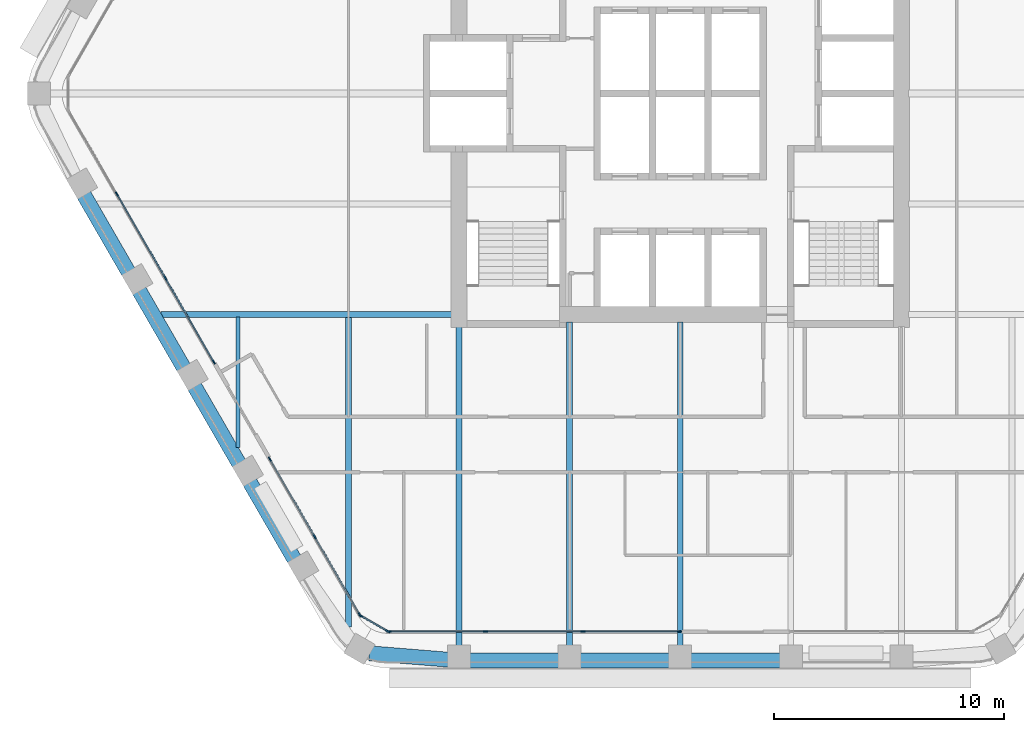
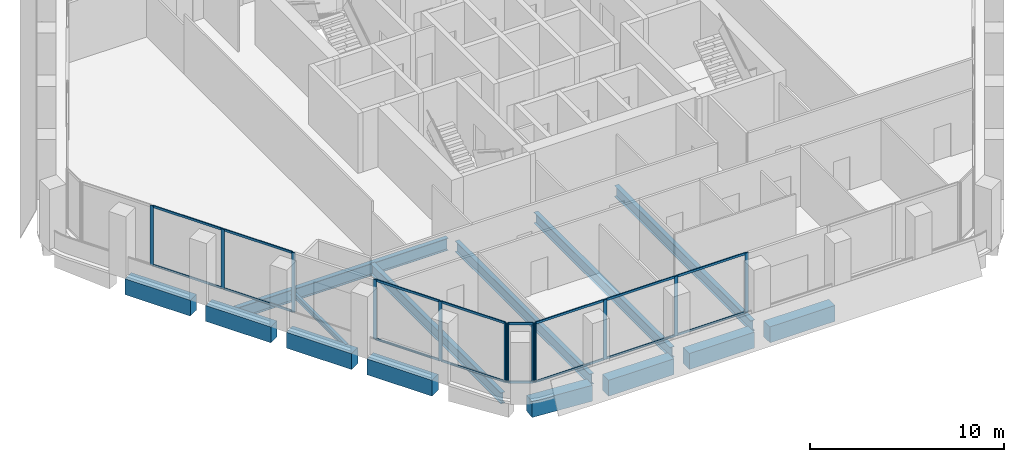
# One storey, part 2 of 15: 28 members, 14 beams, 4 elements without a shape of their own.
"""IFC4 building model written with IfcOpenShell, lengths in metres."""

from ifc_helpers import new_model, si_unit, direction, frame, origin, origin_2d, place, context, subcontext, project, spatial, rectangle, i_section, extrude, material, material_profile, profile_set, type_object, element, aggregate, save


model = new_model("IFC4")

# Units and contexts
model_context = context("Model", 3, precision=1e-05, world=origin(), true_north=direction((0.0, 1.0)))
body_context = subcontext(model_context, "Body", "Model", "MODEL_VIEW")
ifc_project = project(units=[si_unit("LENGTHUNIT", "METRE"), si_unit("AREAUNIT", "SQUARE_METRE"), si_unit("VOLUMEUNIT", "CUBIC_METRE"), si_unit("PLANEANGLEUNIT", "RADIAN"), si_unit("MASSUNIT", "GRAM", prefix="KILO")], contexts=[model_context])

# Site, building, storey
site_placement = place(None, origin())
site = spatial("IfcSite", under=ifc_project, at=site_placement, CompositionType="ELEMENT")
building_placement = place(site_placement, origin())
building = spatial("IfcBuilding", under=site, at=building_placement, Name="Kolab Exchange Tower", CompositionType="ELEMENT")
storey_placement = place(building_placement, frame((0.0, 0.0, 173.89990234375)))
storey = spatial("IfcBuildingStorey", under=building, at=storey_placement, Name="L36", CompositionType="ELEMENT", Elevation=173.89990234375)

# Beams
ifc_material_1 = material(Name="Steel S355", Category="steel")
ifc_material_profile_1 = material_profile(ifc_material_1, i_section(OverallWidth=0.1650390625, OverallDepth=0.31005859375, WebThickness=0.005859375, FlangeThickness=0.009765625, at=origin_2d()), Name="W310X39")
ifc_profile_set_1 = profile_set([ifc_material_profile_1], Name="Steel S355")
beam_type_1 = type_object("IfcBeamType", Name="FLOOR BEAM W310X39", PredefinedType="BEAM", material=ifc_profile_set_1)
beam_1_placement = place(storey_placement, frame((-19.199951171875, -15.36767578125, -0.304931640625), z_axis=(0.0, 1.0, 0.0), x_axis=(-1.0, 0.0, 0.0)))
element("IfcBeam", 1, at=beam_1_placement, inside=storey, type_object=beam_type_1, Name="beam/L36/fr/003", PredefinedType="BEAM", context=body_context, shape_type="SweptSolid", body=[
    extrude(i_section(OverallWidth=0.1650390625, OverallDepth=0.31005859375, WebThickness=0.005859375, FlangeThickness=0.009765625, at=origin_2d()), origin(), (0.0, 0.0, 1.0), 5.674072265625),
])
ifc_material_profile_2 = material_profile(ifc_material_1, i_section(OverallWidth=0.25390625, OverallDepth=0.68408203125, WebThickness=0.012451171875, FlangeThickness=0.018798828125, at=origin_2d()), Name="W690X140")
ifc_profile_set_2 = profile_set([ifc_material_profile_2], Name="Steel S355")
beam_type_2 = type_object("IfcBeamType", Name="FLOOR BEAM W690X140", PredefinedType="BEAM", material=ifc_profile_set_2)
beam_2_placement = place(storey_placement, frame((-14.39990234375, -23.15576171875, -0.491943359375), z_axis=(0.0, 1.0, 0.0), x_axis=(-1.0, 0.0, 0.0)))
element("IfcBeam", 2, at=beam_2_placement, inside=storey, type_object=beam_type_2, Name="beam/L36/fr/005", PredefinedType="BEAM", context=body_context, shape_type="SweptSolid", body=[
    extrude(i_section(OverallWidth=0.25390625, OverallDepth=0.68408203125, WebThickness=0.012451171875, FlangeThickness=0.018798828125, at=origin_2d()), origin(), (0.0, 0.0, 1.0), 13.462158203125),
])
beam_3_placement = place(storey_placement, frame((-9.60009765625, -23.9814453125, -0.491943359375), z_axis=(0.0, 1.0, 0.0), x_axis=(-1.0, 0.0, 0.0)))
element("IfcBeam", 3, at=beam_3_placement, inside=storey, type_object=beam_type_2, Name="beam/L36/fr/007", PredefinedType="BEAM", context=body_context, shape_type="SweptSolid", body=[
    extrude(i_section(OverallWidth=0.25390625, OverallDepth=0.68408203125, WebThickness=0.012451171875, FlangeThickness=0.018798828125, at=origin_2d()), origin(), (0.0, 0.0, 1.0), 13.871337890625),
])
for number, where, z_axis, x_axis, name in (
    (4, (-4.800048828125, -23.9814453125, -0.491943359375), (0.0, 1.0, 0.0), (-1.0, 0.0, 0.0), "beam/L36/fr/009"),
    (5, (0.0, -23.9814453125, -0.491943359375), (0.0, 1.0, 0.0), (-1.0, 0.0, 0.0), "beam/L36/fr/011"),
):
    element("IfcBeam", number, at=place(storey_placement, frame(where, z_axis=z_axis, x_axis=x_axis)), inside=storey, type_object=beam_type_2, Name=name, PredefinedType="BEAM", context=body_context, shape_type="SweptSolid", body=[
        extrude(i_section(OverallWidth=0.25390625, OverallDepth=0.68408203125, WebThickness=0.012451171875, FlangeThickness=0.018798828125, at=origin_2d()), origin(), (0.0, 0.0, 1.0), 14.071533203125),
    ])
ifc_material_profile_3 = material_profile(ifc_material_1, i_section(OverallWidth=0.26708984375, OverallDepth=0.761962890625, WebThickness=0.014404296875, FlangeThickness=0.021484375, at=origin_2d()), Name="W760X173")
ifc_profile_set_3 = profile_set([ifc_material_profile_3], Name="Steel S355")
beam_type_3 = type_object("IfcBeamType", Name="FLOOR GIRDER W760X173", PredefinedType="BEAM", material=ifc_profile_set_3)
beam_4_placement = place(storey_placement, frame((-22.546875, -9.60009765625, -0.531005859375), z_axis=(1.0, 0.0, 0.0), x_axis=(0.0, 1.0, 0.0)))
element("IfcBeam", 6, at=beam_4_placement, inside=storey, type_object=beam_type_3, Name="beam/L36/gd/000", PredefinedType="BEAM", context=body_context, shape_type="SweptSolid", body=[
    extrude(i_section(OverallWidth=0.26708984375, OverallDepth=0.761962890625, WebThickness=0.014404296875, FlangeThickness=0.021484375, at=origin_2d()), origin(), (0.0, 0.0, 1.0), 12.636962890625),
])
ifc_material_2 = material(Name="Concrete C60/75", Category="concrete")
ifc_material_profile_4 = material_profile(ifc_material_2, rectangle(XDim=0.64990234375, YDim=1.0, at=origin_2d()), Name="RC650X1000")
ifc_profile_set_4 = profile_set([ifc_material_profile_4], Name="Concrete C60/75")
beam_type_4 = type_object("IfcBeamType", Name="SPANDREL BEAM 650X1000 C60/75", PredefinedType="BEAM", material=ifc_profile_set_4)
for number, where, z_axis, x_axis, name in (
    (7, (4.340087890625, -24.616455078125, -0.64990234375), (-1.0, 0.0, 0.0), (0.0, -1.0, 0.0), "beam/L36/sp/F4-03"),
    (8, (-0.4599609375, -24.616455078125, -0.64990234375), (-1.0, 0.0, 0.0), (0.0, -1.0, 0.0), "beam/L36/sp/F4-04"),
):
    element("IfcBeam", number, at=place(storey_placement, frame(where, z_axis=z_axis, x_axis=x_axis)), inside=storey, type_object=beam_type_4, Name=name, PredefinedType="BEAM", context=body_context, shape_type="SweptSolid", body=[
        extrude(rectangle(XDim=0.64990234375, YDim=1.0, at=origin_2d()), origin(), (0.0, 0.0, 1.0), 3.880126953125),
    ])
beam_5_placement = place(storey_placement, frame((-5.260009765625, -24.616455078125, -0.64990234375), z_axis=(-1.0, 0.0, 0.0), x_axis=(0.0, -1.0, 0.0)))
element("IfcBeam", 9, at=beam_5_placement, inside=storey, type_object=beam_type_4, Name="beam/L36/sp/F4-05", PredefinedType="BEAM", context=body_context, shape_type="SweptSolid", body=[
    extrude(rectangle(XDim=0.64990234375, YDim=1.0, at=origin_2d()), origin(), (0.0, 0.0, 1.0), 3.8798828125),
])
beam_6_placement = place(storey_placement, frame((-10.06005859375, -24.5791015625, -0.64990234375), z_axis=(-0.996708497182, 0.081068931445, 0.0), x_axis=(-0.081068931445, -0.996708497182, 0.0)))
element("IfcBeam", 10, at=beam_6_placement, inside=storey, type_object=beam_type_4, Name="beam/L36/sp/F4-06", PredefinedType="BEAM", context=body_context, shape_type="SweptSolid", body=[
    extrude(rectangle(XDim=0.64990234375, YDim=1.0, at=origin_2d()), origin(), (0.0, 0.0, 1.0), 3.445068359375),
])
beam_7_placement = place(storey_placement, frame((-16.74853515625, -20.2236328125, -0.64990234375), z_axis=(-0.499996613652, 0.866027358884, 0.0), x_axis=(-0.866027358884, -0.499996613652, 0.0)))
element("IfcBeam", 11, at=beam_7_placement, inside=storey, type_object=beam_type_4, Name="beam/L36/sp/F5-02", PredefinedType="BEAM", context=body_context, shape_type="SweptSolid", body=[
    extrude(rectangle(XDim=0.64990234375, YDim=1.0, at=origin_2d()), origin(), (0.0, 0.0, 1.0), 3.8798828125),
])
beam_8_placement = place(storey_placement, frame((-19.1484375, -16.06689453125, -0.64990234375), z_axis=(-0.50001655835, 0.866015843605, 0.0), x_axis=(-0.866015843605, -0.50001655835, 0.0)))
element("IfcBeam", 12, at=beam_8_placement, inside=storey, type_object=beam_type_4, Name="beam/L36/sp/F5-03", PredefinedType="BEAM", context=body_context, shape_type="SweptSolid", body=[
    extrude(rectangle(XDim=0.64990234375, YDim=1.0, at=origin_2d()), origin(), (0.0, 0.0, 1.0), 3.880126953125),
])
for number, where, z_axis, x_axis, name in (
    (13, (-21.548583984375, -11.909912109375, -0.64990234375), (-0.499996613652, 0.866027358884, 0.0), (-0.866027358884, -0.499996613652, 0.0), "beam/L36/sp/F5-04"),
    (14, (-23.948486328125, -7.7529296875, -0.64990234375), (-0.499996613652, 0.866027358884, 0.0), (-0.866027358884, -0.499996613652, 0.0), "beam/L36/sp/F5-05"),
):
    element("IfcBeam", number, at=place(storey_placement, frame(where, z_axis=z_axis, x_axis=x_axis)), inside=storey, type_object=beam_type_4, Name=name, PredefinedType="BEAM", context=body_context, shape_type="SweptSolid", body=[
        extrude(rectangle(XDim=0.64990234375, YDim=1.0, at=origin_2d()), origin(), (0.0, 0.0, 1.0), 3.8798828125),
    ])

# Curtain wall, members
ifc_material_3 = material(Name="Aluminium EN AW-6063 T6", Category="aluminium")
curtain_wall_type = type_object("IfcCurtainWallType", Name="UNITISED UPPER MID ZONE CURTAIN WALL", PredefinedType="NOTDEFINED", material=ifc_material_3)
curtain_wall_1_placement = place(storey_placement, origin())
curtain_wall_1 = element("IfcCurtainWall", 15, at=curtain_wall_1_placement, inside=storey, type_object=curtain_wall_type, Name="cw/L36/F4-2", PredefinedType="NOTDEFINED")
ifc_material_profile_5 = material_profile(ifc_material_3, rectangle(XDim=0.06005859375, YDim=0.199951171875, at=origin_2d()), Name="RECT 60X200")
ifc_profile_set_5 = profile_set([ifc_material_profile_5], Name="Aluminium EN AW-6063 T6")
member_type_1 = type_object("IfcMemberType", Name="UNITISED UPPER MID ZONE MULLION 60 X 200", PredefinedType="MULLION", material=ifc_profile_set_5)
member_1_placement = place(storey_placement, frame((-0.030029296875, -23.361572265625, 0.0), z_axis=(0.0, 0.0, 1.0), x_axis=(0.0, -1.0, 0.0)))
member_1 = element("IfcMember", 16, at=member_1_placement, type_object=member_type_1, Name="CW3 mullion 1", PredefinedType="MULLION", context=body_context, shape_type="SweptSolid", body=[
    extrude(rectangle(XDim=0.06005859375, YDim=0.199951171875, at=origin_2d()), origin(), (0.0, 0.0, 1.0), 3.75),
])
member_2_placement = place(storey_placement, frame((-4.22265625, -23.361572265625, 0.0), z_axis=(0.0, 0.0, 1.0), x_axis=(0.0, -1.0, 0.0)))
member_2 = element("IfcMember", 17, at=member_2_placement, type_object=member_type_1, Name="CW3 mullion 2", PredefinedType="MULLION", context=body_context, shape_type="SweptSolid", body=[
    extrude(rectangle(XDim=0.06005859375, YDim=0.199951171875, at=origin_2d()), origin(), (0.0, 0.0, 1.0), 3.75),
])
member_3_placement = place(storey_placement, frame((-8.4453125, -23.361572265625, 0.0), z_axis=(0.0, 0.0, 1.0), x_axis=(0.0, -1.0, 0.0)))
member_3 = element("IfcMember", 18, at=member_3_placement, type_object=member_type_1, Name="CW3 mullion 3", PredefinedType="MULLION", context=body_context, shape_type="SweptSolid", body=[
    extrude(rectangle(XDim=0.06005859375, YDim=0.199951171875, at=origin_2d()), origin(), (0.0, 0.0, 1.0), 3.75),
])
member_4_placement = place(storey_placement, frame((-12.637939453125, -23.361572265625, 0.0), z_axis=(0.0, 0.0, 1.0), x_axis=(0.0, -1.0, 0.0)))
member_4 = element("IfcMember", 19, at=member_4_placement, type_object=member_type_1, Name="CW3 mullion 4", PredefinedType="MULLION", context=body_context, shape_type="SweptSolid", body=[
    extrude(rectangle(XDim=0.06005859375, YDim=0.199951171875, at=origin_2d()), origin(), (0.0, 0.0, 1.0), 3.75),
])

curtain_wall_2_placement = place(storey_placement, origin())
curtain_wall_2 = element("IfcCurtainWall", 20, at=curtain_wall_2_placement, inside=storey, type_object=curtain_wall_type, Name="cw/L36/F5-1", PredefinedType="NOTDEFINED")
member_5_placement = place(storey_placement, frame((-13.91259765625, -22.62548828125, 0.0), z_axis=(0.0, 0.0, 1.0), x_axis=(-0.866025385493, -0.500000031681, 0.0)))
member_5 = element("IfcMember", 21, at=member_5_placement, type_object=member_type_1, Name="CW3 mullion 1", PredefinedType="MULLION", context=body_context, shape_type="SweptSolid", body=[
    extrude(rectangle(XDim=0.06005859375, YDim=0.199951171875, at=origin_2d()), origin(), (0.0, 0.0, 1.0), 3.75),
])
member_6_placement = place(storey_placement, frame((-15.86474609375, -19.24462890625, 0.0), z_axis=(0.0, 0.0, 1.0), x_axis=(-0.866025385493, -0.500000031681, 0.0)))
member_6 = element("IfcMember", 22, at=member_6_placement, type_object=member_type_1, Name="CW3 mullion 2", PredefinedType="MULLION", context=body_context, shape_type="SweptSolid", body=[
    extrude(rectangle(XDim=0.06005859375, YDim=0.199951171875, at=origin_2d()), origin(), (0.0, 0.0, 1.0), 3.75),
])
member_7_placement = place(storey_placement, frame((-17.816650390625, -15.86376953125, 0.0), z_axis=(0.0, 0.0, 1.0), x_axis=(-0.866025385493, -0.500000031681, 0.0)))
member_7 = element("IfcMember", 23, at=member_7_placement, type_object=member_type_1, Name="CW3 mullion 3", PredefinedType="MULLION", context=body_context, shape_type="SweptSolid", body=[
    extrude(rectangle(XDim=0.06005859375, YDim=0.199951171875, at=origin_2d()), origin(), (0.0, 0.0, 1.0), 3.75),
])

curtain_wall_3_placement = place(storey_placement, origin())
curtain_wall_3 = element("IfcCurtainWall", 24, at=curtain_wall_3_placement, inside=storey, type_object=curtain_wall_type, Name="cw/L36/F5-2", PredefinedType="NOTDEFINED")
member_8_placement = place(storey_placement, frame((-20.24658203125, -11.65478515625, 0.0), z_axis=(0.0, 0.0, 1.0), x_axis=(-0.866025427826, -0.499999958358, 0.0)))
member_8 = element("IfcMember", 25, at=member_8_placement, type_object=member_type_1, Name="CW3 mullion 1", PredefinedType="MULLION", context=body_context, shape_type="SweptSolid", body=[
    extrude(rectangle(XDim=0.06005859375, YDim=0.199951171875, at=origin_2d()), origin(), (0.0, 0.0, 1.0), 3.75),
])
member_9_placement = place(storey_placement, frame((-22.343017578125, -8.02392578125, 0.0), z_axis=(0.0, 0.0, 1.0), x_axis=(-0.866025427826, -0.499999958358, 0.0)))
member_9 = element("IfcMember", 26, at=member_9_placement, type_object=member_type_1, Name="CW3 mullion 2", PredefinedType="MULLION", context=body_context, shape_type="SweptSolid", body=[
    extrude(rectangle(XDim=0.06005859375, YDim=0.199951171875, at=origin_2d()), origin(), (0.0, 0.0, 1.0), 3.75),
])
member_10_placement = place(storey_placement, frame((-24.454345703125, -4.366943359375, 0.0), z_axis=(0.0, 0.0, 1.0), x_axis=(-0.866025427826, -0.499999958358, 0.0)))
member_10 = element("IfcMember", 27, at=member_10_placement, type_object=member_type_1, Name="CW3 mullion 3", PredefinedType="MULLION", context=body_context, shape_type="SweptSolid", body=[
    extrude(rectangle(XDim=0.06005859375, YDim=0.199951171875, at=origin_2d()), origin(), (0.0, 0.0, 1.0), 3.75),
])

curtain_wall_4_placement = place(storey_placement, origin())
curtain_wall_4 = element("IfcCurtainWall", 28, at=curtain_wall_4_placement, inside=storey, type_object=curtain_wall_type, Name="cw/L36/F4F5-corner", PredefinedType="NOTDEFINED")
member_11_placement = place(storey_placement, frame((-12.69384765625, -23.346435546875, 0.0), z_axis=(0.0, 0.0, 1.0), x_axis=(-0.50000002237, -0.866025390869, 0.0)))
member_11 = element("IfcMember", 29, at=member_11_placement, type_object=member_type_1, Name="CW3 mullion 1", PredefinedType="MULLION", context=body_context, shape_type="SweptSolid", body=[
    extrude(rectangle(XDim=0.06005859375, YDim=0.199951171875, at=origin_2d()), origin(), (0.0, 0.0, 1.0), 3.75),
])
member_12_placement = place(storey_placement, frame((-13.871826171875, -22.66650390625, 0.0), z_axis=(0.0, 0.0, 1.0), x_axis=(-0.50000002237, -0.866025390869, 0.0)))
member_12 = element("IfcMember", 30, at=member_12_placement, type_object=member_type_1, Name="CW3 mullion 2", PredefinedType="MULLION", context=body_context, shape_type="SweptSolid", body=[
    extrude(rectangle(XDim=0.06005859375, YDim=0.199951171875, at=origin_2d()), origin(), (0.0, 0.0, 1.0), 3.75),
])

# Member
ifc_material_profile_6 = material_profile(ifc_material_3, rectangle(XDim=0.06005859375, YDim=0.139892578125, at=origin_2d()), Name="RECT 60X140")
ifc_profile_set_6 = profile_set([ifc_material_profile_6], Name="Aluminium EN AW-6063 T6")
member_type_2 = type_object("IfcMemberType", Name="UNITISED UPPER MID ZONE TRANSOM 60 X 140", PredefinedType="USERDEFINED", material=ifc_profile_set_6)
member_13_placement = place(storey_placement, frame((-0.06005859375, -23.361572265625, 0.030029296875), z_axis=(-1.0, 0.0, 0.0), x_axis=(0.0, -1.0, 0.0)))
member_13 = element("IfcMember", 31, at=member_13_placement, type_object=member_type_2, Name="CW3 transom 1.1", ObjectType="TRANSOM", PredefinedType="USERDEFINED", context=body_context, shape_type="SweptSolid", body=[
    extrude(rectangle(XDim=0.06005859375, YDim=0.139892578125, at=origin_2d()), origin(), (0.0, 0.0, 1.0), 4.132568359375),
])

member_14_placement = place(storey_placement, frame((-0.06005859375, -23.361572265625, 3.72021484375), z_axis=(-1.0, 0.0, 0.0), x_axis=(0.0, -1.0, 0.0)))
member_14 = element("IfcMember", 32, at=member_14_placement, type_object=member_type_2, Name="CW3 transom 1.2", ObjectType="TRANSOM", PredefinedType="USERDEFINED", context=body_context, shape_type="SweptSolid", body=[
    extrude(rectangle(XDim=0.06005859375, YDim=0.139892578125, at=origin_2d()), origin(), (0.0, 0.0, 1.0), 4.132568359375),
])

member_15_placement = place(storey_placement, frame((-4.252685546875, -23.361572265625, 0.030029296875), z_axis=(-1.0, 0.0, 0.0), x_axis=(0.0, -1.0, 0.0)))
member_15 = element("IfcMember", 33, at=member_15_placement, type_object=member_type_2, Name="CW3 transom 2.1", ObjectType="TRANSOM", PredefinedType="USERDEFINED", context=body_context, shape_type="SweptSolid", body=[
    extrude(rectangle(XDim=0.06005859375, YDim=0.139892578125, at=origin_2d()), origin(), (0.0, 0.0, 1.0), 4.16259765625),
])

member_16_placement = place(storey_placement, frame((-4.252685546875, -23.361572265625, 3.72021484375), z_axis=(-1.0, 0.0, 0.0), x_axis=(0.0, -1.0, 0.0)))
member_16 = element("IfcMember", 34, at=member_16_placement, type_object=member_type_2, Name="CW3 transom 2.2", ObjectType="TRANSOM", PredefinedType="USERDEFINED", context=body_context, shape_type="SweptSolid", body=[
    extrude(rectangle(XDim=0.06005859375, YDim=0.139892578125, at=origin_2d()), origin(), (0.0, 0.0, 1.0), 4.16259765625),
])

member_17_placement = place(storey_placement, frame((-8.475341796875, -23.361572265625, 0.030029296875), z_axis=(-1.0, 0.0, 0.0), x_axis=(0.0, -1.0, 0.0)))
member_17 = element("IfcMember", 35, at=member_17_placement, type_object=member_type_2, Name="CW3 transom 3.1", ObjectType="TRANSOM", PredefinedType="USERDEFINED", context=body_context, shape_type="SweptSolid", body=[
    extrude(rectangle(XDim=0.06005859375, YDim=0.139892578125, at=origin_2d()), origin(), (0.0, 0.0, 1.0), 4.132568359375),
])

member_18_placement = place(storey_placement, frame((-8.475341796875, -23.361572265625, 3.72021484375), z_axis=(-1.0, 0.0, 0.0), x_axis=(0.0, -1.0, 0.0)))
member_18 = element("IfcMember", 36, at=member_18_placement, type_object=member_type_2, Name="CW3 transom 3.2", ObjectType="TRANSOM", PredefinedType="USERDEFINED", context=body_context, shape_type="SweptSolid", body=[
    extrude(rectangle(XDim=0.06005859375, YDim=0.139892578125, at=origin_2d()), origin(), (0.0, 0.0, 1.0), 4.132568359375),
])

aggregate(curtain_wall_1, [member_1, member_2, member_3, member_4, member_13, member_14, member_15, member_16, member_17, member_18])

member_19_placement = place(storey_placement, frame((-13.927734375, -22.599609375, 0.030029296875), z_axis=(-0.499964356602, 0.866045981532, 0.0), x_axis=(-0.866045981532, -0.499964356602, 0.0)))
member_19 = element("IfcMember", 37, at=member_19_placement, type_object=member_type_2, Name="CW3 transom 1.1", ObjectType="TRANSOM", PredefinedType="USERDEFINED", context=body_context, shape_type="SweptSolid", body=[
    extrude(rectangle(XDim=0.06005859375, YDim=0.139892578125, at=origin_2d()), origin(), (0.0, 0.0, 1.0), 3.843994140625),
])

member_20_placement = place(storey_placement, frame((-13.927734375, -22.599609375, 3.72021484375), z_axis=(-0.499964356602, 0.866045981532, 0.0), x_axis=(-0.866045981532, -0.499964356602, 0.0)))
member_20 = element("IfcMember", 38, at=member_20_placement, type_object=member_type_2, Name="CW3 transom 1.2", ObjectType="TRANSOM", PredefinedType="USERDEFINED", context=body_context, shape_type="SweptSolid", body=[
    extrude(rectangle(XDim=0.06005859375, YDim=0.139892578125, at=origin_2d()), origin(), (0.0, 0.0, 1.0), 3.843994140625),
])

member_21_placement = place(storey_placement, frame((-15.879638671875, -19.21875, 0.030029296875), z_axis=(-0.500011990396, 0.866018481016, 0.0), x_axis=(-0.866018481016, -0.500011990396, 0.0)))
member_21 = element("IfcMember", 39, at=member_21_placement, type_object=member_type_2, Name="CW3 transom 2.1", ObjectType="TRANSOM", PredefinedType="USERDEFINED", context=body_context, shape_type="SweptSolid", body=[
    extrude(rectangle(XDim=0.06005859375, YDim=0.139892578125, at=origin_2d()), origin(), (0.0, 0.0, 1.0), 3.84423828125),
])

member_22_placement = place(storey_placement, frame((-15.879638671875, -19.21875, 3.72021484375), z_axis=(-0.500011990396, 0.866018481016, 0.0), x_axis=(-0.866018481016, -0.500011990396, 0.0)))
member_22 = element("IfcMember", 40, at=member_22_placement, type_object=member_type_2, Name="CW3 transom 2.2", ObjectType="TRANSOM", PredefinedType="USERDEFINED", context=body_context, shape_type="SweptSolid", body=[
    extrude(rectangle(XDim=0.06005859375, YDim=0.139892578125, at=origin_2d()), origin(), (0.0, 0.0, 1.0), 3.84423828125),
])

aggregate(curtain_wall_2, [member_5, member_6, member_7, member_19, member_20, member_21, member_22])

member_23_placement = place(storey_placement, frame((-20.26171875, -11.62890625, 0.030029296875), z_axis=(-0.500001996123, 0.866024251319, 0.0), x_axis=(-0.866024251319, -0.500001996123, 0.0)))
member_23 = element("IfcMember", 41, at=member_23_placement, type_object=member_type_2, Name="CW3 transom 1.1", ObjectType="TRANSOM", PredefinedType="USERDEFINED", context=body_context, shape_type="SweptSolid", body=[
    extrude(rectangle(XDim=0.06005859375, YDim=0.139892578125, at=origin_2d()), origin(), (0.0, 0.0, 1.0), 4.1328125),
])

member_24_placement = place(storey_placement, frame((-20.26171875, -11.62890625, 3.72021484375), z_axis=(-0.500001996123, 0.866024251319, 0.0), x_axis=(-0.866024251319, -0.500001996123, 0.0)))
member_24 = element("IfcMember", 42, at=member_24_placement, type_object=member_type_2, Name="CW3 transom 1.2", ObjectType="TRANSOM", PredefinedType="USERDEFINED", context=body_context, shape_type="SweptSolid", body=[
    extrude(rectangle(XDim=0.06005859375, YDim=0.139892578125, at=origin_2d()), origin(), (0.0, 0.0, 1.0), 4.1328125),
])

member_25_placement = place(storey_placement, frame((-22.35791015625, -7.997802734375, 0.030029296875), z_axis=(-0.49999322259, 0.866029316688, 0.0), x_axis=(-0.866029316688, -0.49999322259, 0.0)))
member_25 = element("IfcMember", 43, at=member_25_placement, type_object=member_type_2, Name="CW3 transom 2.1", ObjectType="TRANSOM", PredefinedType="USERDEFINED", context=body_context, shape_type="SweptSolid", body=[
    extrude(rectangle(XDim=0.06005859375, YDim=0.139892578125, at=origin_2d()), origin(), (0.0, 0.0, 1.0), 4.16259765625),
])

member_26_placement = place(storey_placement, frame((-22.35791015625, -7.997802734375, 3.72021484375), z_axis=(-0.49999322259, 0.866029316688, 0.0), x_axis=(-0.866029316688, -0.49999322259, 0.0)))
member_26 = element("IfcMember", 44, at=member_26_placement, type_object=member_type_2, Name="CW3 transom 2.2", ObjectType="TRANSOM", PredefinedType="USERDEFINED", context=body_context, shape_type="SweptSolid", body=[
    extrude(rectangle(XDim=0.06005859375, YDim=0.139892578125, at=origin_2d()), origin(), (0.0, 0.0, 1.0), 4.16259765625),
])

aggregate(curtain_wall_3, [member_8, member_9, member_10, member_23, member_24, member_25, member_26])

member_27_placement = place(storey_placement, frame((-12.719970703125, -23.33154296875, 0.030029296875), z_axis=(-0.86603858612, 0.49997716683, 0.0), x_axis=(-0.49997716683, -0.86603858612, 0.0)))
member_27 = element("IfcMember", 45, at=member_27_placement, type_object=member_type_2, Name="CW3 transom 1.1", ObjectType="TRANSOM", PredefinedType="USERDEFINED", context=body_context, shape_type="SweptSolid", body=[
    extrude(rectangle(XDim=0.06005859375, YDim=0.139892578125, at=origin_2d()), origin(), (0.0, 0.0, 1.0), 1.2998046875),
])

member_28_placement = place(storey_placement, frame((-12.719970703125, -23.33154296875, 3.72021484375), z_axis=(-0.86603858612, 0.49997716683, 0.0), x_axis=(-0.49997716683, -0.86603858612, 0.0)))
member_28 = element("IfcMember", 46, at=member_28_placement, type_object=member_type_2, Name="CW3 transom 1.2", ObjectType="TRANSOM", PredefinedType="USERDEFINED", context=body_context, shape_type="SweptSolid", body=[
    extrude(rectangle(XDim=0.06005859375, YDim=0.139892578125, at=origin_2d()), origin(), (0.0, 0.0, 1.0), 1.2998046875),
])

aggregate(curtain_wall_4, [member_11, member_12, member_27, member_28])

save(model, "model.ifc")
